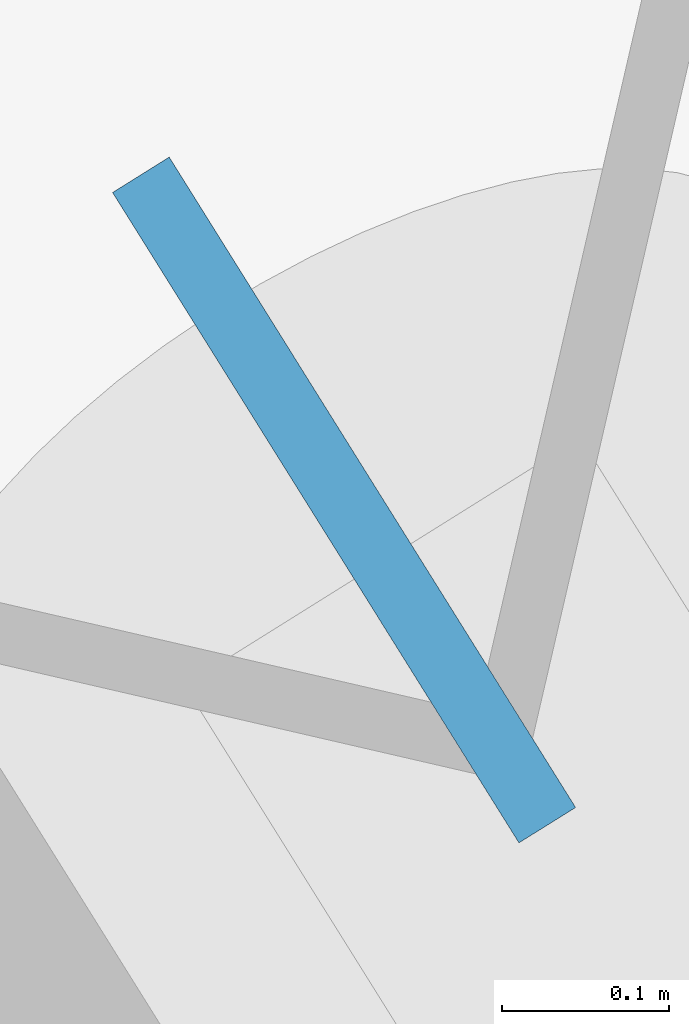
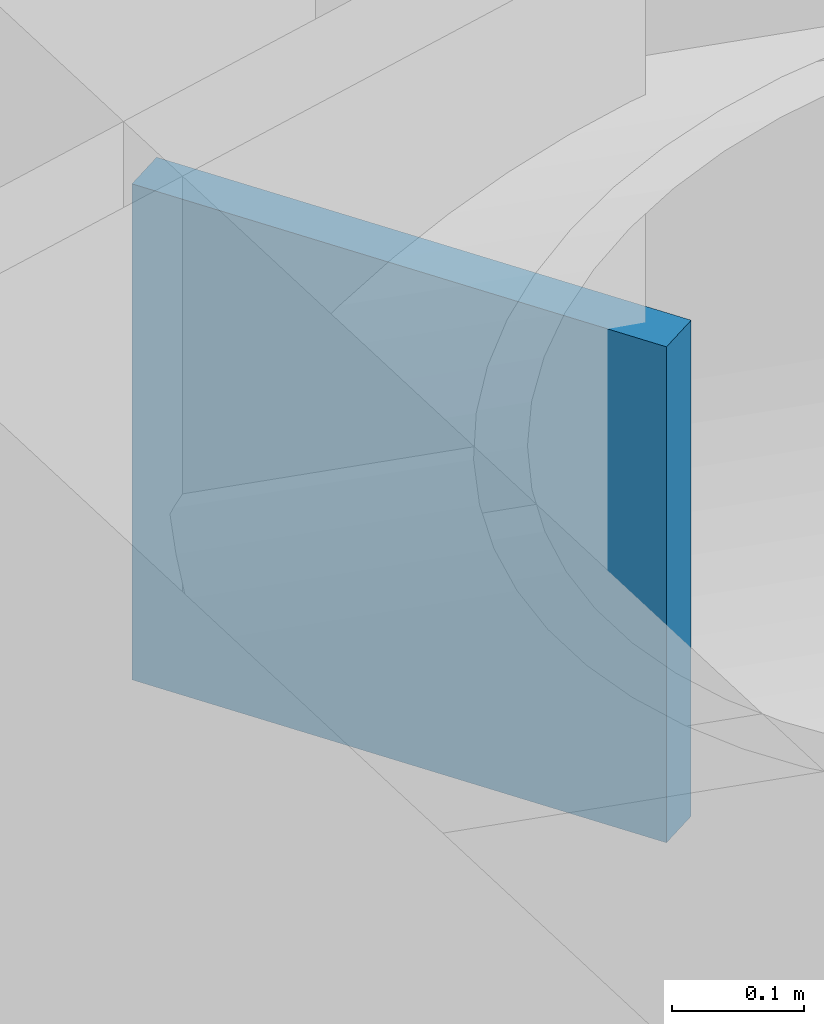
# One storey, part 18 of 20: 1 discrete accessory.
"""IFC4 building model written with IfcOpenShell, lengths in metres."""

from ifc_helpers import new_model, si_unit, direction, frame, origin, origin_2d, place, context, subcontext, project, spatial, rectangle, extrude, material, type_object, element, save


model = new_model("IFC4")

# Units and contexts
model_context = context("Model", 3, precision=1e-05, world=origin(), true_north=direction((0.0, 1.0)))
body_context = subcontext(model_context, "Body", "Model", "MODEL_VIEW")
ifc_project = project(units=[si_unit("LENGTHUNIT", "METRE"), si_unit("AREAUNIT", "SQUARE_METRE"), si_unit("VOLUMEUNIT", "CUBIC_METRE"), si_unit("PLANEANGLEUNIT", "RADIAN"), si_unit("MASSUNIT", "GRAM", prefix="KILO")], contexts=[model_context])

# Site, building, storey
site_placement = place(None, origin())
site = spatial("IfcSite", under=ifc_project, at=site_placement, CompositionType="ELEMENT")
building_placement = place(site_placement, origin())
building = spatial("IfcBuilding", under=site, at=building_placement, Name="Tavrogorsk Clinical Tower", CompositionType="ELEMENT")
storey_placement = place(building_placement, frame((0.0, 0.0, 23.39990234375)))
storey = spatial("IfcBuildingStorey", under=building, at=storey_placement, Name="L04", CompositionType="ELEMENT", Elevation=23.39990234375)

# Discrete accessory
ifc_material = material(Name="Structural steel S440", Category="steel")
discrete_accessory_type = type_object("IfcDiscreteAccessoryType", Name="GussetPlateBracket_25", PredefinedType="BRACKET", material=ifc_material)
discrete_accessory_placement = place(storey_placement, frame((36.64453125, 14.496826171875, 0.25341796875), z_axis=(0.0, 0.0, 1.0), x_axis=(0.529919264233, -0.848048096156, 0.0)))
element("IfcDiscreteAccessory", 1, at=discrete_accessory_placement, inside=storey, type_object=discrete_accessory_type, Name="L04 Brace Gusset Plate EXOCRN-L04-2-A", PredefinedType="BRACKET", context=body_context, shape_type="SweptSolid", body=[
    extrude(rectangle(XDim=0.4599609375, YDim=0.0400390625, at=origin_2d()), origin(), (0.0, 0.0, 1.0), 0.4599609375),
])

save(model, "model.ifc")
